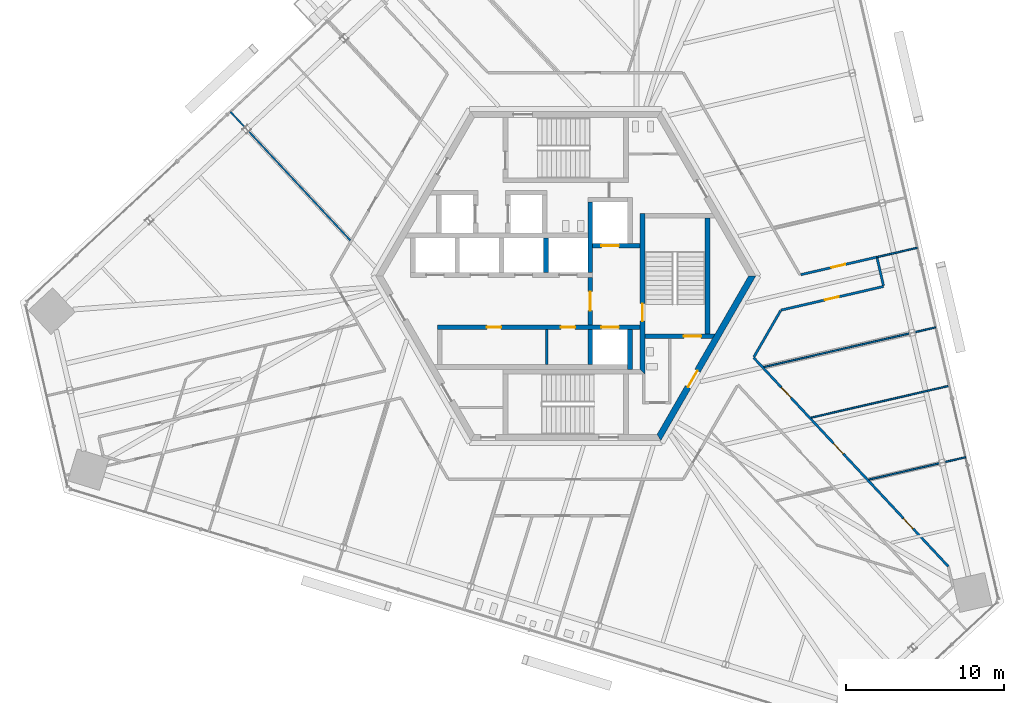
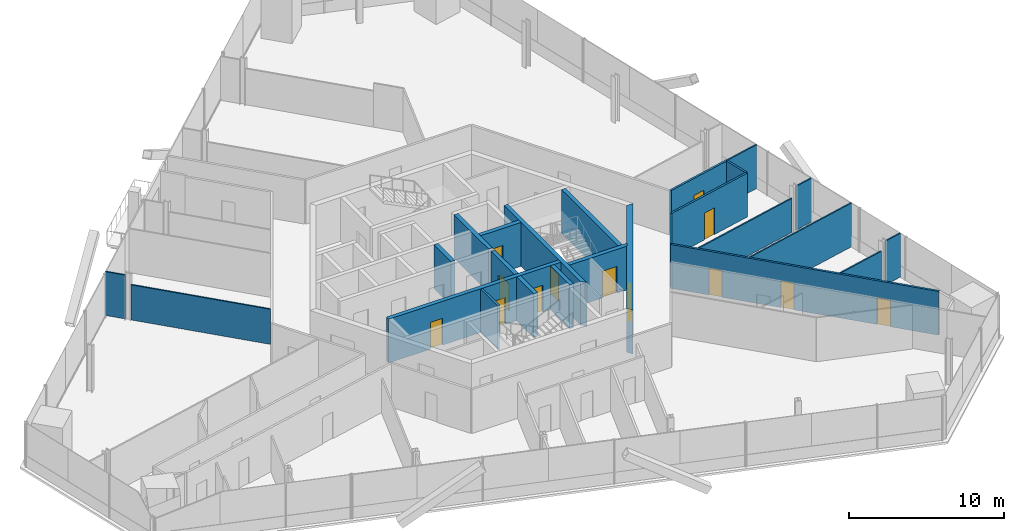
# One storey, part 13 of 19: 25 walls, 13 doors, 13 openings.
"""IFC4 building model written with IfcOpenShell, lengths in metres."""

from ifc_helpers import new_model, si_unit, direction, frame, frame_2d, origin, place, context, subcontext, project, spatial, polyline, rectangle, outline, extrude, source, transform, mapped, material, layer, layer_set, type_object, element, fill, save


model = new_model("IFC4")

# Units and contexts
model_context = context("Model", 3, precision=1e-05, world=origin(), true_north=direction((0.0, 1.0)))
body_context = subcontext(model_context, "Body", "Model", "MODEL_VIEW")
ifc_project = project(units=[si_unit("LENGTHUNIT", "METRE"), si_unit("AREAUNIT", "SQUARE_METRE"), si_unit("VOLUMEUNIT", "CUBIC_METRE"), si_unit("PLANEANGLEUNIT", "RADIAN"), si_unit("MASSUNIT", "GRAM", prefix="KILO")], contexts=[model_context])

# Site, building, storey
site_placement = place(None, origin())
site = spatial("IfcSite", under=ifc_project, at=site_placement, CompositionType="ELEMENT")
building_placement = place(site_placement, origin())
building = spatial("IfcBuilding", under=site, at=building_placement, Name="Triune Harvest Tower", CompositionType="ELEMENT")
storey_placement = place(building_placement, frame((0.0, 0.0, 109.10009765625)))
storey = spatial("IfcBuildingStorey", under=building, at=storey_placement, Name="L27", CompositionType="ELEMENT", Elevation=109.10009765625)

# Wall, opening, door
ifc_material_1 = material(Name="Gypsum board on steel studs", Category="steel")
ifc_layer_1 = layer(ifc_material_1, 0.14990234375)
ifc_layer_set_1 = layer_set([ifc_layer_1], Name="Gypsum board on steel studs")
wall_type_1 = type_object("IfcWallType", Name="Fire Partition 150 mm", PredefinedType="PARTITIONING", material=ifc_layer_set_1)
wall_1_placement = place(storey_placement, frame((13.583740234375, -2.15673828125, 0.0), z_axis=(0.0, 0.0, 1.0), x_axis=(0.974378828636, 0.22491309056, 0.0)))
wall_1 = element("IfcWall", 1, at=wall_1_placement, inside=storey, type_object=wall_type_1, Name="Partition L27 037", PredefinedType="PARTITIONING", context=body_context, shape_type="SweptSolid", body=[
    extrude(rectangle(XDim=6.655029296875, YDim=0.14990234375, at=frame_2d((3.32763671875, 0.0))), origin(), (0.0, 0.0, 1.0), 3.43994140625),
])
opening_1_placement = place(wall_1_placement, frame((2.85009765625, 0.0, 0.0)))
opening_1 = element("IfcOpeningElement", 2, at=opening_1_placement, cuts=wall_1, Name="Opening L27-006", PredefinedType="OPENING", context=body_context, shape_type="SweptSolid", body=[
    extrude(rectangle(XDim=0.89990234375, YDim=2.10009765625, at=frame_2d((0.449951171875, 1.050048828125))), frame((0.0, 0.0849609375, 0.0), z_axis=(0.0, -1.0, 0.0), x_axis=(1.0, 0.0, 0.0)), (0.0, 0.0, 1.0), 0.169921875),
])
ifc_material_2 = material(Name="Timber and steel door set", Category="steel")
door_type_1 = type_object("IfcDoorType", Name="Single leaf door FD30 right hand 900 x 2100", OperationType="SINGLE_SWING_RIGHT", PredefinedType="DOOR", material=ifc_material_2)
door_1_placement = place(opening_1_placement, origin())
door_1 = element("IfcDoor", 3, at=door_1_placement, inside=storey, type_object=door_type_1, Name="Door L27-006 Office 27.06", OperationType="SINGLE_SWING_RIGHT", OverallHeight=2.10009765625, OverallWidth=0.89990234375, PredefinedType="DOOR", context=body_context, shape_type="SweptSolid", body=[
    extrude(rectangle(XDim=0.89990234375, YDim=2.10009765625, at=frame_2d((0.449951171875, 1.050048828125))), frame((0.0, 0.02490234375, 0.0), z_axis=(0.0, -1.0, 0.0), x_axis=(1.0, 0.0, 0.0)), (0.0, 0.0, 1.0), 0.050048828125),
])
fill(opening_1, door_1)

# Walls
ifc_material_3 = material(Name="Gypsum board on steel studs", Category="steel")
ifc_layer_2 = layer(ifc_material_3, 0.10009765625)
ifc_layer_set_2 = layer_set([ifc_layer_2], Name="Gypsum board on steel studs")
wall_type_2 = type_object("IfcWallType", Name="Partition 100 mm", PredefinedType="PARTITIONING", material=ifc_layer_set_2)
wall_2_placement = place(storey_placement, frame((-20.015625, 9.126220703125, 0.0), z_axis=(0.0, 0.0, 1.0), x_axis=(0.681998884557, -0.73135321252, 0.0)))
element("IfcWall", 4, at=wall_2_placement, inside=storey, type_object=wall_type_2, Name="Partition L27 008", PredefinedType="PARTITIONING", context=body_context, shape_type="SweptSolid", body=[
    extrude(rectangle(XDim=9.398681640625, YDim=0.10009765625, at=frame_2d((4.69921875, 0.0))), origin(), (0.0, 0.0, 1.0), 2.756591796875),
])
wall_3_placement = place(storey_placement, frame((15.498291015625, -8.94384765625, 0.0), z_axis=(0.0, 0.0, 1.0), x_axis=(0.974368625583, 0.224957288122, 0.0)))
element("IfcWall", 5, at=wall_3_placement, inside=storey, type_object=wall_type_2, Name="Partition L27 031", PredefinedType="PARTITIONING", context=body_context, shape_type="SweptSolid", body=[
    extrude(rectangle(XDim=8.93505859375, YDim=0.10009765625, at=frame_2d((4.467529296875, 0.0))), origin(), (0.0, 0.0, 1.0), 3.43994140625),
])

# Wall, opening, door
ifc_material_4 = material(Name="Concrete 70 MPa", Category="concrete")
ifc_layer_3 = layer(ifc_material_4, 0.39990234375)
ifc_layer_set_3 = layer_set([ifc_layer_3], Name="Concrete 70 MPa")
wall_type_3 = type_object("IfcWallType", Name="Core wall 400", PredefinedType="SHEAR", material=ifc_layer_set_3)
shared_shape_1 = source(origin(), body_context, "Body", "SweptSolid", [
    extrude(outline(polyline([(-0.115478515625, -0.199951171875), (11.884521484375, -0.199951171875), (11.653564453125, 0.199951171875), (0.115478515625, 0.199951171875), (-0.115478515625, -0.199951171875)])), origin(), (0.0, 0.0, 1.0), 3.43994140625),
])
wall_4_placement = place(storey_placement, frame((5.884521484375, -10.1923828125, 0.0), z_axis=(0.0, 0.0, 1.0), x_axis=(0.499996592174, 0.866027371285, 0.0)))
wall_4 = element("IfcWall", 6, at=wall_4_placement, inside=storey, type_object=wall_type_3, Name="Hexagon 5 wall", PredefinedType="SHEAR", context=body_context, shape_type="MappedRepresentation", body=[
    mapped(shared_shape_1, transform((0.0, 0.0, 0.0), scale=1.0)),
])
opening_2_placement = place(wall_4_placement, frame((3.66455078125, 0.0, 0.0)))
opening_2 = element("IfcOpeningElement", 7, at=opening_2_placement, cuts=wall_4, Name="Opening CD-DP", PredefinedType="OPENING", context=body_context, shape_type="SweptSolid", body=[
    extrude(rectangle(XDim=1.199951171875, YDim=2.10009765625, at=frame_2d((0.60009765625, 1.050048828125))), frame((0.0, 0.2099609375, 0.0), z_axis=(0.0, -1.0, 0.0), x_axis=(1.0, 0.0, 0.0)), (0.0, 0.0, 1.0), 0.419921875),
])
ifc_material_5 = material(Name="Steel S235", Category="steel")
door_type_2 = type_object("IfcDoorType", Name="Stair door 1200 FD120", OperationType="SINGLE_SWING_LEFT", PredefinedType="DOOR", material=ifc_material_5)
door_2_placement = place(opening_2_placement, frame((1.199951171875, 0.0, 0.0), z_axis=(0.0, 0.0, 1.0), x_axis=(-1.0, 0.0, 0.0)))
door_2 = element("IfcDoor", 8, at=door_2_placement, inside=storey, type_object=door_type_2, Name="Door CD-DP", OperationType="SINGLE_SWING_RIGHT", OverallHeight=2.10009765625, OverallWidth=1.199951171875, PredefinedType="DOOR", context=body_context, shape_type="SweptSolid", body=[
    extrude(rectangle(XDim=1.199951171875, YDim=2.10009765625, at=frame_2d((0.60009765625, 1.050048828125))), frame((0.0, 0.02490234375, 0.0), z_axis=(0.0, -1.0, 0.0), x_axis=(1.0, 0.0, 0.0)), (0.0, 0.0, 1.0), 0.050048828125),
])
fill(opening_2, door_2)

# Walls
ifc_material_6 = material(Name="Concrete 70 MPa", Category="concrete")
ifc_layer_4 = layer(ifc_material_6, 0.300048828125)
ifc_layer_set_4 = layer_set([ifc_layer_4], Name="Concrete 70 MPa")
wall_type_4 = type_object("IfcWallType", Name="Core wall 300", PredefinedType="SHEAR", material=ifc_layer_set_4)
shared_shape_2 = source(origin(), body_context, "Body", "SweptSolid", [
    extrude(rectangle(XDim=2.5, YDim=0.300048828125, at=frame_2d((1.25, 0.0))), origin(), (0.0, 0.0, 1.0), 3.43994140625),
])
wall_5_placement = place(storey_placement, frame((4.050048828125, -5.889892578125, 0.0), z_axis=(0.0, 0.0, 1.0), x_axis=(0.0, 1.0, 0.0)))
element("IfcWall", 9, at=wall_5_placement, inside=storey, type_object=wall_type_4, Name="Ff2 east wall", PredefinedType="SHEAR", context=body_context, shape_type="MappedRepresentation", body=[
    mapped(shared_shape_2, transform((0.0, 0.0, 0.0), scale=1.0)),
])
shared_shape_3 = source(origin(), body_context, "Body", "SweptSolid", [
    extrude(rectangle(XDim=4.449951171875, YDim=0.300048828125, at=frame_2d((2.22509765625, 0.0))), origin(), (0.0, 0.0, 1.0), 3.43994140625),
])
wall_6_placement = place(storey_placement, frame((1.550048828125, 0.2099609375, 0.0), z_axis=(0.0, 0.0, 1.0), x_axis=(0.0, 1.0, 0.0)))
element("IfcWall", 10, at=wall_6_placement, inside=storey, type_object=wall_type_4, Name="Ff1 west wall", PredefinedType="SHEAR", context=body_context, shape_type="MappedRepresentation", body=[
    mapped(shared_shape_3, transform((0.0, 0.0, 0.0), scale=1.0)),
])

# Wall, opening, door
shared_shape_4 = source(origin(), body_context, "Body", "SweptSolid", [
    extrude(rectangle(XDim=3.0, YDim=0.300048828125, at=frame_2d((1.5, 0.0))), origin(), (0.0, 0.0, 1.0), 3.43994140625),
])
wall_7_placement = place(storey_placement, frame((1.699951171875, 1.909912109375, 0.0), z_axis=(0.0, 0.0, 1.0), x_axis=(1.0, 0.0, 0.0)))
wall_7 = element("IfcWall", 11, at=wall_7_placement, inside=storey, type_object=wall_type_4, Name="Ff1 front wall", PredefinedType="SHEAR", context=body_context, shape_type="MappedRepresentation", body=[
    mapped(shared_shape_4, transform((0.0, 0.0, 0.0), scale=1.0)),
])
opening_3_placement = place(wall_7_placement, frame((0.550048828125, 0.0, 0.0)))
opening_3 = element("IfcOpeningElement", 12, at=opening_3_placement, cuts=wall_7, Name="Opening LD-FF1-27", PredefinedType="OPENING", context=body_context, shape_type="SweptSolid", body=[
    extrude(rectangle(XDim=1.10009765625, YDim=2.10009765625, at=frame_2d((0.550048828125, 1.050048828125))), frame((0.0, 0.16015625, 0.0), z_axis=(0.0, -1.0, 0.0), x_axis=(1.0, 0.0, 0.0)), (0.0, 0.0, 1.0), 0.320068359375),
])
ifc_material_7 = material(Name="Stainless steel AISI 304", Category="steel")
door_type_3 = type_object("IfcDoorType", Name="Landing door 1100 x 2100", OperationType="DOUBLE_DOOR_SLIDING", PredefinedType="DOOR", material=ifc_material_7)
door_3_placement = place(opening_3_placement, origin())
door_3 = element("IfcDoor", 13, at=door_3_placement, inside=storey, type_object=door_type_3, Name="Door LD-FF1-27", OperationType="DOUBLE_DOOR_SLIDING", OverallHeight=2.10009765625, OverallWidth=1.10009765625, PredefinedType="DOOR", context=body_context, shape_type="SweptSolid", body=[
    extrude(rectangle(XDim=1.10009765625, YDim=2.10009765625, at=frame_2d((0.550048828125, 1.050048828125))), frame((0.0, 0.02490234375, 0.0), z_axis=(0.0, -1.0, 0.0), x_axis=(1.0, 0.0, 0.0)), (0.0, 0.0, 1.0), 0.050048828125),
])
fill(opening_3, door_3)

wall_8_placement = place(storey_placement, frame((1.550048828125, -3.090087890625, 0.0), z_axis=(0.0, 0.0, 1.0), x_axis=(0.0, 1.0, 0.0)))
wall_8 = element("IfcWall", 14, at=wall_8_placement, inside=storey, type_object=wall_type_4, Name="Ff lobby west wall", PredefinedType="SHEAR", context=body_context, shape_type="MappedRepresentation", body=[
    mapped(shared_shape_4, transform((0.0, 0.0, 0.0), scale=1.0)),
])
opening_4_placement = place(wall_8_placement, frame((0.89990234375, 0.0, 0.0)))
opening_4 = element("IfcOpeningElement", 15, at=opening_4_placement, cuts=wall_8, Name="Opening CD-FL", PredefinedType="OPENING", context=body_context, shape_type="SweptSolid", body=[
    extrude(rectangle(XDim=1.199951171875, YDim=2.10009765625, at=frame_2d((0.60009765625, 1.050048828125))), frame((0.0, 0.16015625, 0.0), z_axis=(0.0, -1.0, 0.0), x_axis=(1.0, 0.0, 0.0)), (0.0, 0.0, 1.0), 0.320068359375),
])
ifc_material_8 = material(Name="Steel S235", Category="steel")
door_type_4 = type_object("IfcDoorType", Name="Firefighters' lobby door 1200 FD120", OperationType="SINGLE_SWING_LEFT", PredefinedType="DOOR", material=ifc_material_8)
door_4_placement = place(opening_4_placement, frame((1.199951171875, 0.0, 0.0), z_axis=(0.0, 0.0, 1.0), x_axis=(-1.0, 0.0, 0.0)))
door_4 = element("IfcDoor", 16, at=door_4_placement, inside=storey, type_object=door_type_4, Name="Door CD-FL", OperationType="SINGLE_SWING_RIGHT", OverallHeight=2.10009765625, OverallWidth=1.199951171875, PredefinedType="DOOR", context=body_context, shape_type="SweptSolid", body=[
    extrude(rectangle(XDim=1.199951171875, YDim=2.10009765625, at=frame_2d((0.60009765625, 1.050048828125))), frame((0.0, 0.02490234375, 0.0), z_axis=(0.0, -1.0, 0.0), x_axis=(1.0, 0.0, 0.0)), (0.0, 0.0, 1.0), 0.050048828125),
])
fill(opening_4, door_4)

# Wall, openings, doors
shared_shape_5 = source(origin(), body_context, "Body", "SweptSolid", [
    extrude(rectangle(XDim=12.800048828125, YDim=0.300048828125, at=frame_2d((6.39990234375, 0.0))), origin(), (0.0, 0.0, 1.0), 3.43994140625),
])
wall_9_placement = place(storey_placement, frame((-8.10009765625, -3.239990234375, 0.0), z_axis=(0.0, 0.0, 1.0), x_axis=(1.0, 0.0, 0.0)))
wall_9 = element("IfcWall", 17, at=wall_9_placement, inside=storey, type_object=wall_type_4, Name="South front wall", PredefinedType="SHEAR", context=body_context, shape_type="MappedRepresentation", body=[
    mapped(shared_shape_5, transform((0.0, 0.0, 0.0), scale=1.0)),
])
opening_5_placement = place(wall_9_placement, frame((3.112548828125, 0.0, 0.0)))
opening_5 = element("IfcOpeningElement", 18, at=opening_5_placement, cuts=wall_9, Name="Opening CD-RS1", PredefinedType="OPENING", context=body_context, shape_type="SweptSolid", body=[
    extrude(rectangle(XDim=0.89990234375, YDim=2.10009765625, at=frame_2d((0.449951171875, 1.050048828125))), frame((0.0, 0.16015625, 0.0), z_axis=(0.0, -1.0, 0.0), x_axis=(1.0, 0.0, 0.0)), (0.0, 0.0, 1.0), 0.320068359375),
])
opening_6_placement = place(wall_9_placement, frame((7.78759765625, 0.0, 0.0)))
opening_6 = element("IfcOpeningElement", 19, at=opening_6_placement, cuts=wall_9, Name="Opening CD-RS2", PredefinedType="OPENING", context=body_context, shape_type="SweptSolid", body=[
    extrude(rectangle(XDim=0.89990234375, YDim=2.10009765625, at=frame_2d((0.449951171875, 1.050048828125))), frame((0.0, 0.16015625, 0.0), z_axis=(0.0, -1.0, 0.0), x_axis=(1.0, 0.0, 0.0)), (0.0, 0.0, 1.0), 0.320068359375),
])
opening_7_placement = place(wall_9_placement, frame((10.35009765625, 0.0, 0.0)))
opening_7 = element("IfcOpeningElement", 20, at=opening_7_placement, cuts=wall_9, Name="Opening LD-FF2-27", PredefinedType="OPENING", context=body_context, shape_type="SweptSolid", body=[
    extrude(rectangle(XDim=1.10009765625, YDim=2.10009765625, at=frame_2d((0.550048828125, 1.050048828125))), frame((0.0, 0.16015625, 0.0), z_axis=(0.0, -1.0, 0.0), x_axis=(1.0, 0.0, 0.0)), (0.0, 0.0, 1.0), 0.320068359375),
])
door_5_placement = place(opening_7_placement, origin())
door_5 = element("IfcDoor", 21, at=door_5_placement, inside=storey, type_object=door_type_3, Name="Door LD-FF2-27", OperationType="DOUBLE_DOOR_SLIDING", OverallHeight=2.10009765625, OverallWidth=1.10009765625, PredefinedType="DOOR", context=body_context, shape_type="SweptSolid", body=[
    extrude(rectangle(XDim=1.10009765625, YDim=2.10009765625, at=frame_2d((0.550048828125, 1.050048828125))), frame((0.0, 0.02490234375, 0.0), z_axis=(0.0, -1.0, 0.0), x_axis=(1.0, 0.0, 0.0)), (0.0, 0.0, 1.0), 0.050048828125),
])
fill(opening_7, door_5)
ifc_material_9 = material(Name="Steel S235", Category="steel")
door_type_5 = type_object("IfcDoorType", Name="Riser door 900 FD120", OperationType="SINGLE_SWING_LEFT", PredefinedType="DOOR", material=ifc_material_9)
door_6_placement = place(opening_5_placement, origin())
door_6 = element("IfcDoor", 22, at=door_6_placement, inside=storey, type_object=door_type_5, Name="Door CD-RS1", OperationType="SINGLE_SWING_LEFT", OverallHeight=2.10009765625, OverallWidth=0.89990234375, PredefinedType="DOOR", context=body_context, shape_type="SweptSolid", body=[
    extrude(rectangle(XDim=0.89990234375, YDim=2.10009765625, at=frame_2d((0.449951171875, 1.050048828125))), frame((0.0, 0.02490234375, 0.0), z_axis=(0.0, -1.0, 0.0), x_axis=(1.0, 0.0, 0.0)), (0.0, 0.0, 1.0), 0.050048828125),
])
fill(opening_5, door_6)
door_7_placement = place(opening_6_placement, origin())
door_7 = element("IfcDoor", 23, at=door_7_placement, inside=storey, type_object=door_type_5, Name="Door CD-RS2", OperationType="SINGLE_SWING_LEFT", OverallHeight=2.10009765625, OverallWidth=0.89990234375, PredefinedType="DOOR", context=body_context, shape_type="SweptSolid", body=[
    extrude(rectangle(XDim=0.89990234375, YDim=2.10009765625, at=frame_2d((0.449951171875, 1.050048828125))), frame((0.0, 0.02490234375, 0.0), z_axis=(0.0, -1.0, 0.0), x_axis=(1.0, 0.0, 0.0)), (0.0, 0.0, 1.0), 0.050048828125),
])
fill(opening_6, door_7)

# Walls
shared_shape_6 = source(origin(), body_context, "Body", "SweptSolid", [
    extrude(rectangle(XDim=2.2001953125, YDim=0.300048828125, at=frame_2d((1.10009765625, 0.0))), origin(), (0.0, 0.0, 1.0), 3.43994140625),
])
wall_10_placement = place(storey_placement, frame((1.550048828125, -5.590087890625, 0.0), z_axis=(0.0, 0.0, 1.0), x_axis=(0.0, 1.0, 0.0)))
element("IfcWall", 24, at=wall_10_placement, inside=storey, type_object=wall_type_4, Name="Ff2 west wall", PredefinedType="SHEAR", context=body_context, shape_type="MappedRepresentation", body=[
    mapped(shared_shape_6, transform((0.0, 0.0, 0.0), scale=1.0)),
])
shared_shape_7 = source(origin(), body_context, "Body", "SweptSolid", [
    extrude(rectangle(XDim=2.199951171875, YDim=0.300048828125, at=frame_2d((1.10009765625, 0.0))), origin(), (0.0, 0.0, 1.0), 3.43994140625),
])
wall_11_placement = place(storey_placement, frame((-1.25, 0.2099609375, 0.0), z_axis=(0.0, 0.0, 1.0), x_axis=(0.0, 1.0, 0.0)))
element("IfcWall", 25, at=wall_11_placement, inside=storey, type_object=wall_type_4, Name="North cross 3 wall", PredefinedType="SHEAR", context=body_context, shape_type="MappedRepresentation", body=[
    mapped(shared_shape_7, transform((0.0, 0.0, 0.0), scale=1.0)),
])

# Wall, opening, door
shared_shape_8 = source(origin(), body_context, "Body", "SweptSolid", [
    extrude(outline(polyline([(-0.14990234375, -0.14990234375), (9.989990234375, -0.14990234375), (9.989990234375, 0.14990234375), (0.14990234375, 0.14990234375), (-0.14990234375, -0.14990234375)])), origin(), (0.0, 0.0, 1.0), 3.43994140625),
])
wall_12_placement = place(storey_placement, frame((4.85009765625, -6.0400390625, 0.0), z_axis=(0.0, 0.0, 1.0), x_axis=(0.0, 1.0, 0.0)))
wall_12 = element("IfcWall", 26, at=wall_12_placement, inside=storey, type_object=wall_type_4, Name="Stair e west wall", PredefinedType="SHEAR", context=body_context, shape_type="MappedRepresentation", body=[
    mapped(shared_shape_8, transform((0.0, 0.0, 0.0), scale=1.0)),
])
opening_8_placement = place(wall_12_placement, frame((3.18994140625, 0.0, 0.0)))
opening_8 = element("IfcOpeningElement", 27, at=opening_8_placement, cuts=wall_12, Name="Opening CD-S3L", PredefinedType="OPENING", context=body_context, shape_type="SweptSolid", body=[
    extrude(rectangle(XDim=1.10009765625, YDim=2.10009765625, at=frame_2d((0.550048828125, 1.050048828125))), frame((0.0, 0.16015625, 0.0), z_axis=(0.0, -1.0, 0.0), x_axis=(1.0, 0.0, 0.0)), (0.0, 0.0, 1.0), 0.320068359375),
])
ifc_material_10 = material(Name="Steel S235", Category="steel")
door_type_6 = type_object("IfcDoorType", Name="Stair door 1100 FD120", OperationType="SINGLE_SWING_LEFT", PredefinedType="DOOR", material=ifc_material_10)
door_8_placement = place(opening_8_placement, frame((1.10009765625, 0.0, 0.0), z_axis=(0.0, 0.0, 1.0), x_axis=(-1.0, 0.0, 0.0)))
door_8 = element("IfcDoor", 28, at=door_8_placement, inside=storey, type_object=door_type_6, Name="Door CD-S3L", OperationType="SINGLE_SWING_RIGHT", OverallHeight=2.10009765625, OverallWidth=1.10009765625, PredefinedType="DOOR", context=body_context, shape_type="SweptSolid", body=[
    extrude(rectangle(XDim=1.10009765625, YDim=2.10009765625, at=frame_2d((0.550048828125, 1.050048828125))), frame((0.0, 0.02490234375, 0.0), z_axis=(0.0, -1.0, 0.0), x_axis=(1.0, 0.0, 0.0)), (0.0, 0.0, 1.0), 0.050048828125),
])
fill(opening_8, door_8)

shared_shape_9 = source(origin(), body_context, "Body", "SweptSolid", [
    extrude(outline(polyline([(0.0, -0.14990234375), (0.0, 0.14990234375), (4.43310546875, 0.14990234375), (4.260009765625, -0.14990234375), (0.0, -0.14990234375)])), origin(), (0.0, 0.0, 1.0), 3.43994140625),
])
wall_13_placement = place(storey_placement, frame((5.0, -3.800048828125, 0.0), z_axis=(0.0, 0.0, 1.0), x_axis=(1.0, 0.0, 0.0)))
wall_13 = element("IfcWall", 29, at=wall_13_placement, inside=storey, type_object=wall_type_4, Name="Stair e south wall", PredefinedType="SHEAR", context=body_context, shape_type="MappedRepresentation", body=[
    mapped(shared_shape_9, transform((0.0, 0.0, 0.0), scale=1.0)),
])
opening_9_placement = place(wall_13_placement, frame((2.449951171875, 0.0, 0.0)))
opening_9 = element("IfcOpeningElement", 30, at=opening_9_placement, cuts=wall_13, Name="Opening CD-S3D", PredefinedType="OPENING", context=body_context, shape_type="SweptSolid", body=[
    extrude(rectangle(XDim=1.10009765625, YDim=2.10009765625, at=frame_2d((0.550048828125, 1.050048828125))), frame((0.0, 0.16015625, 0.0), z_axis=(0.0, -1.0, 0.0), x_axis=(1.0, 0.0, 0.0)), (0.0, 0.0, 1.0), 0.320068359375),
])
door_9_placement = place(opening_9_placement, frame((1.10009765625, 0.0, 0.0), z_axis=(0.0, 0.0, 1.0), x_axis=(-1.0, 0.0, 0.0)))
door_9 = element("IfcDoor", 31, at=door_9_placement, inside=storey, type_object=door_type_6, Name="Door CD-S3D", OperationType="SINGLE_SWING_RIGHT", OverallHeight=2.10009765625, OverallWidth=1.10009765625, PredefinedType="DOOR", context=body_context, shape_type="SweptSolid", body=[
    extrude(rectangle(XDim=1.10009765625, YDim=2.10009765625, at=frame_2d((0.550048828125, 1.050048828125))), frame((0.0, 0.02490234375, 0.0), z_axis=(0.0, -1.0, 0.0), x_axis=(1.0, 0.0, 0.0)), (0.0, 0.0, 1.0), 0.050048828125),
])
fill(opening_9, door_9)

# Walls
shared_shape_10 = source(origin(), body_context, "Body", "SweptSolid", [
    extrude(rectangle(XDim=7.2998046875, YDim=0.300048828125, at=frame_2d((3.64990234375, 0.0))), origin(), (0.0, 0.0, 1.0), 3.43994140625),
])
wall_14_placement = place(storey_placement, frame((8.949951171875, -3.64990234375, 0.0), z_axis=(0.0, 0.0, 1.0), x_axis=(0.0, 1.0, 0.0)))
element("IfcWall", 32, at=wall_14_placement, inside=storey, type_object=wall_type_4, Name="Stair e east wall", PredefinedType="SHEAR", context=body_context, shape_type="MappedRepresentation", body=[
    mapped(shared_shape_10, transform((0.0, 0.0, 0.0), scale=1.0)),
])
ifc_material_11 = material(Name="Concrete masonry unit", Category="masonry")
ifc_layer_5 = layer(ifc_material_11, 0.14990234375)
ifc_layer_set_5 = layer_set([ifc_layer_5], Name="Concrete masonry unit")
wall_type_5 = type_object("IfcWallType", Name="Block partition 150", PredefinedType="PARTITIONING", material=ifc_layer_set_5)
shared_shape_11 = source(origin(), body_context, "Body", "SweptSolid", [
    extrude(rectangle(XDim=2.2001953125, YDim=0.14990234375, at=frame_2d((1.10009765625, 0.0))), origin(), (0.0, 0.0, 1.0), 3.43994140625),
])
wall_15_placement = place(storey_placement, frame((-1.199951171875, -5.590087890625, 0.0), z_axis=(0.0, 0.0, 1.0), x_axis=(0.0, 1.0, 0.0)))
element("IfcWall", 33, at=wall_15_placement, inside=storey, type_object=wall_type_5, Name="Row s part 1 wall", PredefinedType="PARTITIONING", context=body_context, shape_type="MappedRepresentation", body=[
    mapped(shared_shape_11, transform((0.0, 0.0, 0.0), scale=1.0)),
])
shared_shape_12 = source(origin(), body_context, "Body", "SweptSolid", [
    extrude(rectangle(XDim=1.338134765625, YDim=0.10009765625, at=frame_2d((0.6689453125, 0.0))), origin(), (0.0, 0.0, 1.0), 3.43994140625),
])
for number, where, z_axis, x_axis, name in (
    (34, (-21.17431640625, 10.368896484375, 0.0), (0.0, 0.0, 1.0), (0.681954155979, -0.731394920096, 0.0), "Partition L27 007"),
    (35, (23.941650390625, -11.744384765625, 0.0), (0.0, 0.0, 1.0), (0.974363511026, 0.224979439906, 0.0), "Partition L27 030"),
    (36, (22.048828125, -3.54541015625, 0.0), (0.0, 0.0, 1.0), (0.974363511026, 0.224979439906, 0.0), "Partition L27 033"),
):
    element("IfcWall", number, at=place(storey_placement, frame(where, z_axis=z_axis, x_axis=x_axis)), inside=storey, type_object=wall_type_2, Name=name, PredefinedType="PARTITIONING", context=body_context, shape_type="MappedRepresentation", body=[
        mapped(shared_shape_12, transform((0.0, 0.0, 0.0), scale=1.0)),
    ])
shared_shape_13 = source(origin(), body_context, "Body", "SweptSolid", [
    extrude(rectangle(XDim=1.7900390625, YDim=0.14990234375, at=frame_2d((0.89501953125, 0.0))), origin(), (0.0, 0.0, 1.0), 3.43994140625),
])
wall_16_placement = place(storey_placement, frame((19.652587890625, 1.142578125, 0.0), z_axis=(0.0, 0.0, 1.0), x_axis=(0.22503879836, -0.974349803322, 0.0)))
element("IfcWall", 37, at=wall_16_placement, inside=storey, type_object=wall_type_1, Name="Partition L27 002", PredefinedType="PARTITIONING", context=body_context, shape_type="MappedRepresentation", body=[
    mapped(shared_shape_13, transform((0.0, 0.0, 0.0), scale=1.0)),
])
shared_shape_14 = source(origin(), body_context, "Body", "SweptSolid", [
    extrude(rectangle(XDim=2.61865234375, YDim=0.10009765625, at=frame_2d((1.309326171875, 0.0))), origin(), (0.0, 0.0, 1.0), 3.43994140625),
])
wall_17_placement = place(storey_placement, frame((19.640869140625, 1.191650390625, 0.0), z_axis=(0.0, 0.0, 1.0), x_axis=(0.974366048432, 0.224968450375, 0.0)))
element("IfcWall", 38, at=wall_17_placement, inside=storey, type_object=wall_type_2, Name="Partition L27 040", PredefinedType="PARTITIONING", context=body_context, shape_type="MappedRepresentation", body=[
    mapped(shared_shape_14, transform((0.0, 0.0, 0.0), scale=1.0)),
])

# Wall, openings, doors
shared_shape_15 = source(origin(), body_context, "Body", "SweptSolid", [
    extrude(rectangle(XDim=18.026611328125, YDim=0.14990234375, at=frame_2d((9.01318359375, 0.0))), origin(), (0.0, 0.0, 1.0), 3.43994140625),
])
wall_18_placement = place(storey_placement, frame((11.85498046875, -5.15087890625, 0.0), z_axis=(0.0, 0.0, 1.0), x_axis=(0.681992947505, -0.731358748873, 0.0)))
wall_18 = element("IfcWall", 39, at=wall_18_placement, inside=storey, type_object=wall_type_1, Name="Partition L27 018", PredefinedType="PARTITIONING", context=body_context, shape_type="MappedRepresentation", body=[
    mapped(shared_shape_15, transform((0.0, 0.0, 0.0), scale=1.0)),
])
opening_10_placement = place(wall_18_placement, frame((13.87841796875, 0.0, 0.0)))
opening_10 = element("IfcOpeningElement", 40, at=opening_10_placement, cuts=wall_18, Name="Opening L27-002", PredefinedType="OPENING", context=body_context, shape_type="SweptSolid", body=[
    extrude(rectangle(XDim=0.89990234375, YDim=2.10009765625, at=frame_2d((0.449951171875, 1.050048828125))), frame((0.0, 0.0849609375, 0.0), z_axis=(0.0, -1.0, 0.0), x_axis=(1.0, 0.0, 0.0)), (0.0, 0.0, 1.0), 0.169921875),
])
opening_11_placement = place(wall_18_placement, frame((2.563720703125, 0.0, 0.0)))
opening_11 = element("IfcOpeningElement", 41, at=opening_11_placement, cuts=wall_18, Name="Opening L27-004", PredefinedType="OPENING", context=body_context, shape_type="SweptSolid", body=[
    extrude(rectangle(XDim=0.89990234375, YDim=2.10009765625, at=frame_2d((0.449951171875, 1.050048828125))), frame((0.0, 0.0849609375, 0.0), z_axis=(0.0, -1.0, 0.0), x_axis=(1.0, 0.0, 0.0)), (0.0, 0.0, 1.0), 0.169921875),
])
opening_12_placement = place(wall_18_placement, frame((7.407470703125, 0.0, 0.0)))
opening_12 = element("IfcOpeningElement", 42, at=opening_12_placement, cuts=wall_18, Name="Opening L27-005", PredefinedType="OPENING", context=body_context, shape_type="SweptSolid", body=[
    extrude(rectangle(XDim=0.89990234375, YDim=2.10009765625, at=frame_2d((0.449951171875, 1.050048828125))), frame((0.0, 0.0849609375, 0.0), z_axis=(0.0, -1.0, 0.0), x_axis=(1.0, 0.0, 0.0)), (0.0, 0.0, 1.0), 0.169921875),
])
ifc_material_12 = material(Name="Timber and steel door set", Category="steel")
door_type_7 = type_object("IfcDoorType", Name="Single leaf door FD30 left hand 900 x 2100", OperationType="SINGLE_SWING_LEFT", PredefinedType="DOOR", material=ifc_material_12)
door_10_placement = place(opening_11_placement, origin())
door_10 = element("IfcDoor", 43, at=door_10_placement, inside=storey, type_object=door_type_7, Name="Door L27-004 Project Room 27.04", OperationType="SINGLE_SWING_LEFT", OverallHeight=2.10009765625, OverallWidth=0.89990234375, PredefinedType="DOOR", context=body_context, shape_type="SweptSolid", body=[
    extrude(rectangle(XDim=0.89990234375, YDim=2.10009765625, at=frame_2d((0.449951171875, 1.050048828125))), frame((0.0, 0.02490234375, 0.0), z_axis=(0.0, -1.0, 0.0), x_axis=(1.0, 0.0, 0.0)), (0.0, 0.0, 1.0), 0.050048828125),
])
fill(opening_11, door_10)
door_11_placement = place(opening_12_placement, origin())
door_11 = element("IfcDoor", 44, at=door_11_placement, inside=storey, type_object=door_type_7, Name="Door L27-005 Pantry 27.05", OperationType="SINGLE_SWING_LEFT", OverallHeight=2.10009765625, OverallWidth=0.89990234375, PredefinedType="DOOR", context=body_context, shape_type="SweptSolid", body=[
    extrude(rectangle(XDim=0.89990234375, YDim=2.10009765625, at=frame_2d((0.449951171875, 1.050048828125))), frame((0.0, 0.02490234375, 0.0), z_axis=(0.0, -1.0, 0.0), x_axis=(1.0, 0.0, 0.0)), (0.0, 0.0, 1.0), 0.050048828125),
])
fill(opening_12, door_11)
door_12_placement = place(opening_10_placement, origin())
door_12 = element("IfcDoor", 45, at=door_12_placement, inside=storey, type_object=door_type_1, Name="Door L27-002 Open Office 27.02", OperationType="SINGLE_SWING_RIGHT", OverallHeight=2.10009765625, OverallWidth=0.89990234375, PredefinedType="DOOR", context=body_context, shape_type="SweptSolid", body=[
    extrude(rectangle(XDim=0.89990234375, YDim=2.10009765625, at=frame_2d((0.449951171875, 1.050048828125))), frame((0.0, 0.02490234375, 0.0), z_axis=(0.0, -1.0, 0.0), x_axis=(1.0, 0.0, 0.0)), (0.0, 0.0, 1.0), 0.050048828125),
])
fill(opening_10, door_12)

# Walls
shared_shape_16 = source(origin(), body_context, "Body", "SweptSolid", [
    extrude(rectangle(XDim=4.56396484375, YDim=0.10009765625, at=frame_2d((2.281982421875, 0.0))), origin(), (0.0, 0.0, 1.0), 2.82763671875),
])
wall_19_placement = place(storey_placement, frame((19.142822265625, -12.852294921875, 0.0), z_axis=(0.0, 0.0, 1.0), x_axis=(0.974361435855, 0.224988427077, 0.0)))
element("IfcWall", 46, at=wall_19_placement, inside=storey, type_object=wall_type_2, Name="Partition L27 029", PredefinedType="PARTITIONING", context=body_context, shape_type="MappedRepresentation", body=[
    mapped(shared_shape_16, transform((0.0, 0.0, 0.0), scale=1.0)),
])
shared_shape_17 = source(origin(), body_context, "Body", "SweptSolid", [
    extrude(rectangle(XDim=9.421875, YDim=0.10009765625, at=frame_2d((4.7109375, 0.0))), origin(), (0.0, 0.0, 1.0), 2.682861328125),
])
wall_20_placement = place(storey_placement, frame((12.5166015625, -5.74609375, 0.0), z_axis=(0.0, 0.0, 1.0), x_axis=(0.974371976436, 0.224942773913, 0.0)))
element("IfcWall", 47, at=wall_20_placement, inside=storey, type_object=wall_type_2, Name="Partition L27 032", PredefinedType="PARTITIONING", context=body_context, shape_type="MappedRepresentation", body=[
    mapped(shared_shape_17, transform((0.0, 0.0, 0.0), scale=1.0)),
])

# Wall, opening, door
shared_shape_18 = source(origin(), body_context, "Body", "SweptSolid", [
    extrude(rectangle(XDim=4.9306640625, YDim=0.14990234375, at=frame_2d((2.46533203125, 0.0))), origin(), (0.0, 0.0, 1.0), 3.43994140625),
])
wall_21_placement = place(storey_placement, frame((14.836669921875, 0.08251953125, 0.0), z_axis=(0.0, 0.0, 1.0), x_axis=(0.974370328135, 0.224949913646, 0.0)))
wall_21 = element("IfcWall", 48, at=wall_21_placement, inside=storey, type_object=wall_type_1, Name="Partition L27 039", PredefinedType="PARTITIONING", context=body_context, shape_type="MappedRepresentation", body=[
    mapped(shared_shape_18, transform((0.0, 0.0, 0.0), scale=1.0)),
])
opening_13_placement = place(wall_21_placement, frame((1.990478515625, 0.0, 0.0)))
opening_13 = element("IfcOpeningElement", 49, at=opening_13_placement, cuts=wall_21, Name="Opening L27-007", PredefinedType="OPENING", context=body_context, shape_type="SweptSolid", body=[
    extrude(rectangle(XDim=0.89990234375, YDim=2.10009765625, at=frame_2d((0.449951171875, 1.050048828125))), frame((0.0, 0.0849609375, 0.0), z_axis=(0.0, -1.0, 0.0), x_axis=(1.0, 0.0, 0.0)), (0.0, 0.0, 1.0), 0.169921875),
])
door_13_placement = place(opening_13_placement, origin())
door_13 = element("IfcDoor", 50, at=door_13_placement, inside=storey, type_object=door_type_1, Name="Door L27-007 Meeting Room 27.07", OperationType="SINGLE_SWING_RIGHT", OverallHeight=2.10009765625, OverallWidth=0.89990234375, PredefinedType="DOOR", context=body_context, shape_type="SweptSolid", body=[
    extrude(rectangle(XDim=0.89990234375, YDim=2.10009765625, at=frame_2d((0.449951171875, 1.050048828125))), frame((0.0, 0.02490234375, 0.0), z_axis=(0.0, -1.0, 0.0), x_axis=(1.0, 0.0, 0.0)), (0.0, 0.0, 1.0), 0.050048828125),
])
fill(opening_13, door_13)

# Wall
shared_shape_19 = source(origin(), body_context, "Body", "SweptSolid", [
    extrude(rectangle(XDim=3.36767578125, YDim=0.14990234375, at=frame_2d((1.683837890625, 0.0))), origin(), (0.0, 0.0, 1.0), 3.43994140625),
])
wall_22_placement = place(storey_placement, frame((11.8798828125, -5.10791015625, 0.0), z_axis=(0.0, 0.0, 1.0), x_axis=(0.499998569178, 0.866026229868, 0.0)))
element("IfcWall", 51, at=wall_22_placement, inside=storey, type_object=wall_type_1, Name="Partition L27 048", PredefinedType="PARTITIONING", context=body_context, shape_type="MappedRepresentation", body=[
    mapped(shared_shape_19, transform((0.0, 0.0, 0.0), scale=1.0)),
])

save(model, "model.ifc")
